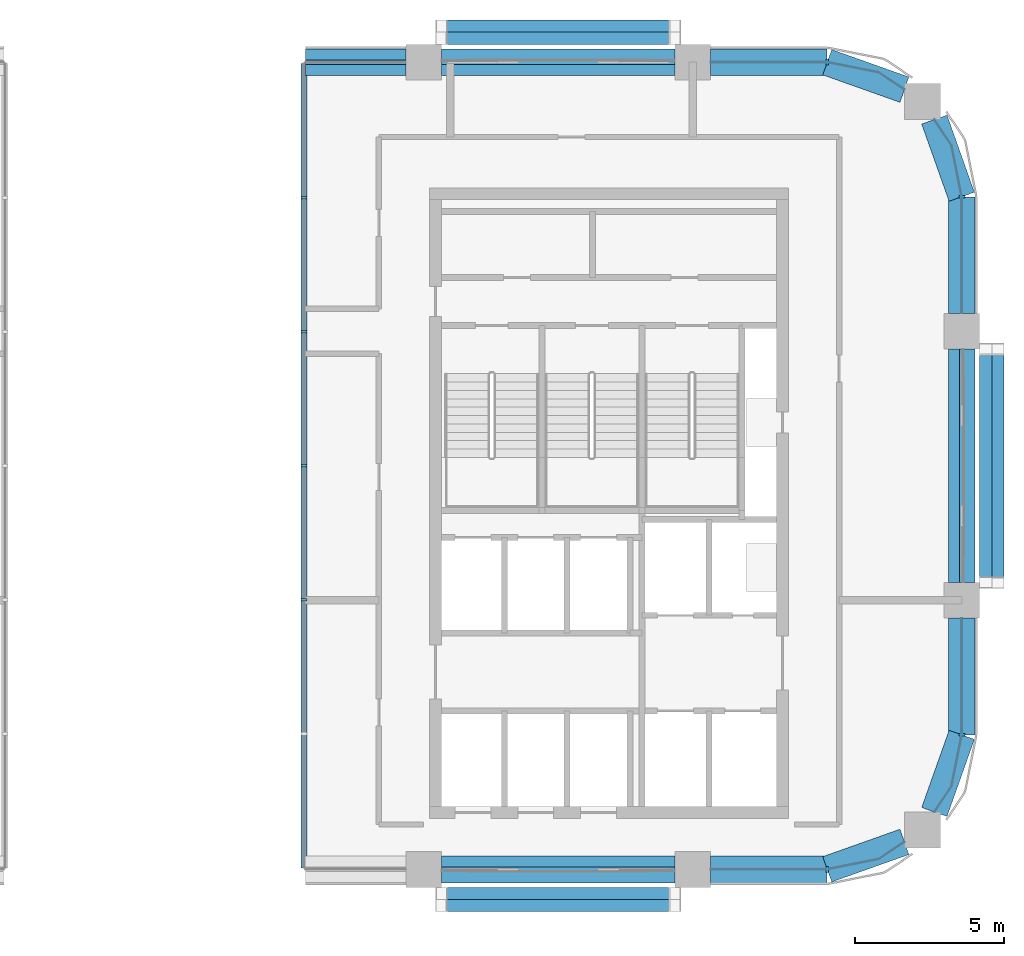
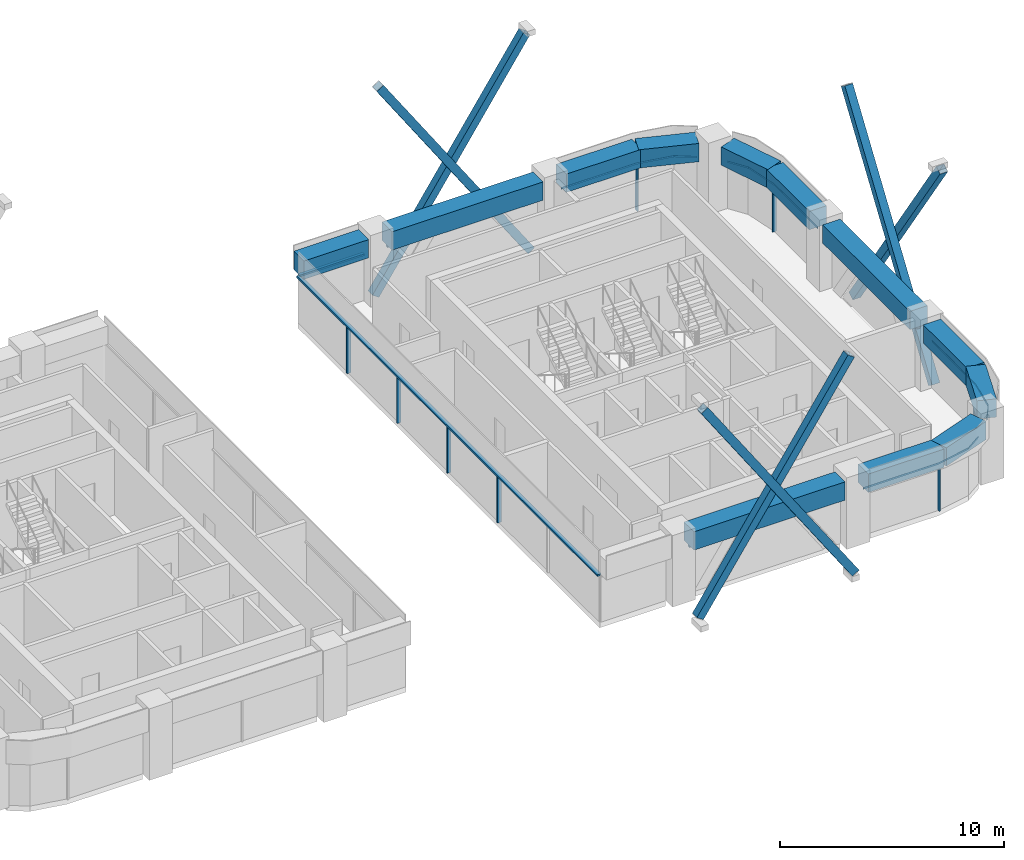
# One storey, part 4 of 14: 23 members, 12 beams, 9 elements without a shape of their own.
"""IFC4 building model written with IfcOpenShell, lengths in metres."""

from ifc_helpers import new_model, si_unit, direction, frame, origin, origin_2d, place, context, subcontext, project, spatial, polyline, rectangle, hollow_rectangle, outline, extrude, material, material_profile, profile_set, type_object, element, aggregate, save


model = new_model("IFC4")

# Units and contexts
model_context = context("Model", 3, precision=1e-05, world=origin(), true_north=direction((0.0, 1.0)))
body_context = subcontext(model_context, "Body", "Model", "MODEL_VIEW")
ifc_project = project(units=[si_unit("LENGTHUNIT", "METRE"), si_unit("AREAUNIT", "SQUARE_METRE"), si_unit("VOLUMEUNIT", "CUBIC_METRE"), si_unit("PLANEANGLEUNIT", "RADIAN"), si_unit("MASSUNIT", "GRAM", prefix="KILO")], contexts=[model_context])

# Site, building, storey
site_placement = place(None, origin())
site = spatial("IfcSite", under=ifc_project, at=site_placement, CompositionType="ELEMENT")
building_placement = place(site_placement, origin())
building = spatial("IfcBuilding", under=site, at=building_placement, Name="Tessera Arch", CompositionType="ELEMENT")
storey_placement = place(building_placement, frame((0.0, 0.0, 215.0)))
storey = spatial("IfcBuildingStorey", under=building, at=storey_placement, Name="L51", CompositionType="ELEMENT", Elevation=215.0)

# Members
ifc_material_1 = material(Name="Steel A500 Gr C", Category="steel")
ifc_material_profile_1 = material_profile(ifc_material_1, hollow_rectangle(XDim=0.406494140625, YDim=0.406494140625, WallThickness=0.0146484375, at=origin_2d()), Name="HSS16x16x5/8")
ifc_profile_set_1 = profile_set([ifc_material_profile_1], Name="Steel A500 Gr C")
member_type_1 = type_object("IfcMemberType", Name="Brace HSS16x16x5/8 Steel A500 Gr C", PredefinedType="BRACE", material=ifc_profile_set_1)
for number, where, z_axis, x_axis, name in (
    (1, (36.60009765625, 26.19677734375, -0.800048828125), (0.557984732827, 0.0, 0.829851214334), (0.0, 1.0, 0.0), "Brace S27.32-1 A L51-L53"),
    (2, (44.39990234375, 25.790283203125, -0.800048828125), (-0.557984732827, 0.0, 0.829851214334), (0.0, -1.0, 0.0), "Brace S27.32-1 B L51-L53"),
    (3, (54.80322265625, 36.60009765625, -0.800048828125), (0.0, 0.557984732827, 0.829851214334), (-1.0, 0.0, 0.0), "Brace E54.27-1 A L51-L53"),
    (4, (55.209716796875, 44.39990234375, -0.800048828125), (0.0, -0.557984732827, 0.829851214334), (1.0, 0.0, 0.0), "Brace E54.27-1 B L51-L53"),
    (5, (44.39990234375, 54.80322265625, -0.800048828125), (-0.557984732827, 0.0, 0.829851214334), (0.0, -1.0, 0.0), "Brace N54.32-1 A L51-L53"),
    (6, (36.60009765625, 55.209716796875, -0.800048828125), (0.557984732827, 0.0, 0.829851214334), (0.0, 1.0, 0.0), "Brace N54.32-1 B L51-L53"),
):
    element("IfcMember", number, at=place(storey_placement, frame(where, z_axis=z_axis, x_axis=x_axis)), inside=storey, type_object=member_type_1, Name=name, PredefinedType="BRACE", context=body_context, shape_type="SweptSolid", body=[
        extrude(hollow_rectangle(XDim=0.406494140625, YDim=0.406494140625, WallThickness=0.0146484375, at=origin_2d()), origin(), (0.0, 0.0, 1.0), 13.978515625),
    ])

# Curtain wall, member
ifc_material_2 = material(Name="CW1 curtain wall")
curtain_wall_type_1 = type_object("IfcCurtainWallType", Name="CW1 curtain wall", PredefinedType="NOTDEFINED", material=ifc_material_2)
curtain_wall_1_placement = place(storey_placement, origin())
curtain_wall_1 = element("IfcCurtainWall", 7, at=curtain_wall_1_placement, inside=storey, type_object=curtain_wall_type_1, Name="CW1 curtain wall N54.32/2 L51", PredefinedType="NOTDEFINED")
ifc_material_3 = material(Name="Anodised aluminium pale metal", Category="aluminium")
ifc_material_profile_2 = material_profile(ifc_material_3, rectangle(XDim=0.159912109375, YDim=0.10009765625, at=origin_2d()), Name="AL 160x100")
ifc_profile_set_2 = profile_set([ifc_material_profile_2], Name="Anodised aluminium pale metal")
member_type_2 = type_object("IfcMemberType", Name="CW1 transom", PredefinedType="USERDEFINED", material=ifc_profile_set_2)
member_1_placement = place(storey_placement, frame((35.39990234375, 54.0, 2.550048828125), z_axis=(-1.0, 0.0, 0.0), x_axis=(0.0, -1.0, 0.0)))
member_1 = element("IfcMember", 8, at=member_1_placement, type_object=member_type_2, Name="CW1 transom N54.32/2 1.1", ObjectType="TRANSOM", PredefinedType="USERDEFINED", context=body_context, shape_type="SweptSolid", body=[
    extrude(rectangle(XDim=0.159912109375, YDim=0.10009765625, at=origin_2d()), origin(), (0.0, 0.0, 1.0), 3.349853515625),
])
aggregate(curtain_wall_1, [member_1])

ifc_material_4 = material(Name="CW2 curtain wall")
curtain_wall_type_2 = type_object("IfcCurtainWallType", Name="CW2 curtain wall", PredefinedType="NOTDEFINED", material=ifc_material_4)
curtain_wall_2_placement = place(storey_placement, origin())
curtain_wall_2 = element("IfcCurtainWall", 9, at=curtain_wall_2_placement, inside=storey, type_object=curtain_wall_type_2, Name="CW2 curtain wall S27.32/2 L51", PredefinedType="NOTDEFINED")
ifc_material_5 = material(Name="Anodised aluminium pale metal", Category="aluminium")
ifc_material_profile_3 = material_profile(ifc_material_5, rectangle(XDim=0.199951171875, YDim=0.080078125, at=origin_2d()), Name="AL 80x200")
ifc_profile_set_3 = profile_set([ifc_material_profile_3], Name="Anodised aluminium pale metal")
member_type_3 = type_object("IfcMemberType", Name="CW2 mullion", PredefinedType="MULLION", material=ifc_profile_set_3)
member_2_placement = place(storey_placement, frame((49.5, 27.0, 0.0), z_axis=(0.0, 0.0, 1.0), x_axis=(0.0, 1.0, 0.0)))
member_2 = element("IfcMember", 10, at=member_2_placement, type_object=member_type_3, Name="CW2 mullion S27.32/2 1", PredefinedType="MULLION", context=body_context, shape_type="SweptSolid", body=[
    extrude(rectangle(XDim=0.199951171875, YDim=0.080078125, at=origin_2d()), origin(), (0.0, 0.0, 1.0), 2.5),
])

curtain_wall_3_placement = place(storey_placement, origin())
curtain_wall_3 = element("IfcCurtainWall", 11, at=curtain_wall_3_placement, inside=storey, type_object=curtain_wall_type_2, Name="CW2 curtain wall E54.27/0 L51", PredefinedType="NOTDEFINED")
member_3_placement = place(storey_placement, frame((54.0, 31.5, 0.0), z_axis=(0.0, 0.0, 1.0), x_axis=(-1.0, 0.0, 0.0)))
member_3 = element("IfcMember", 12, at=member_3_placement, type_object=member_type_3, Name="CW2 mullion E54.27/0 1", PredefinedType="MULLION", context=body_context, shape_type="SweptSolid", body=[
    extrude(rectangle(XDim=0.199951171875, YDim=0.080078125, at=origin_2d()), origin(), (0.0, 0.0, 1.0), 2.5),
])

curtain_wall_4_placement = place(storey_placement, origin())
curtain_wall_4 = element("IfcCurtainWall", 13, at=curtain_wall_4_placement, inside=storey, type_object=curtain_wall_type_2, Name="CW2 curtain wall E54.27/2 L51", PredefinedType="NOTDEFINED")
member_4_placement = place(storey_placement, frame((54.0, 49.5, 0.0), z_axis=(0.0, 0.0, 1.0), x_axis=(-1.0, 0.0, 0.0)))
member_4 = element("IfcMember", 14, at=member_4_placement, type_object=member_type_3, Name="CW2 mullion E54.27/2 1", PredefinedType="MULLION", context=body_context, shape_type="SweptSolid", body=[
    extrude(rectangle(XDim=0.199951171875, YDim=0.080078125, at=origin_2d()), origin(), (0.0, 0.0, 1.0), 2.5),
])

curtain_wall_5_placement = place(storey_placement, origin())
curtain_wall_5 = element("IfcCurtainWall", 15, at=curtain_wall_5_placement, inside=storey, type_object=curtain_wall_type_2, Name="CW2 curtain wall N54.32/0 L51", PredefinedType="NOTDEFINED")
member_5_placement = place(storey_placement, frame((49.5, 54.0, 0.0), z_axis=(0.0, 0.0, 1.0), x_axis=(0.0, -1.0, 0.0)))
member_5 = element("IfcMember", 16, at=member_5_placement, type_object=member_type_3, Name="CW2 mullion N54.32/0 1", PredefinedType="MULLION", context=body_context, shape_type="SweptSolid", body=[
    extrude(rectangle(XDim=0.199951171875, YDim=0.080078125, at=origin_2d()), origin(), (0.0, 0.0, 1.0), 2.5),
])

# Member
ifc_material_6 = material(Name="Anodised aluminium pale metal", Category="aluminium")
ifc_material_profile_4 = material_profile(ifc_material_6, rectangle(XDim=0.199951171875, YDim=0.10009765625, at=origin_2d()), Name="AL 200x100")
ifc_profile_set_4 = profile_set([ifc_material_profile_4], Name="Anodised aluminium pale metal")
member_type_4 = type_object("IfcMemberType", Name="CW2 transom", PredefinedType="USERDEFINED", material=ifc_profile_set_4)
member_6_placement = place(storey_placement, frame((0.0, 0.0, 2.5)))
member_6 = element("IfcMember", 17, at=member_6_placement, type_object=member_type_4, Name="CW2 transom S27.32/2 1", ObjectType="TRANSOM", PredefinedType="USERDEFINED", context=body_context, shape_type="SweptSolid", body=[
    extrude(outline(polyline([(49.4990234375, 27.010009765625), (45.60009765625, 27.010009765625), (45.60009765625, 26.989990234375), (49.5009765625, 26.989990234375), (51.22607421875, 27.3330078125), (52.087646484375, 27.90869140625), (52.076416015625, 27.92529296875), (51.21826171875, 27.351806640625), (49.4990234375, 27.010009765625)])), origin(), (0.0, 0.0, 1.0), 0.10009765625),
])

aggregate(curtain_wall_2, [member_2, member_6])

member_7_placement = place(storey_placement, frame((0.0, 0.0, 2.5)))
member_7 = element("IfcMember", 18, at=member_7_placement, type_object=member_type_4, Name="CW2 transom E54.27/0 1", ObjectType="TRANSOM", PredefinedType="USERDEFINED", context=body_context, shape_type="SweptSolid", body=[
    extrude(outline(polyline([(53.648193359375, 29.78173828125), (53.07470703125, 28.923583984375), (53.09130859375, 28.912353515625), (53.6669921875, 29.77392578125), (54.010009765625, 31.4990234375), (54.010009765625, 35.39990234375), (53.989990234375, 35.39990234375), (53.989990234375, 31.5009765625), (53.648193359375, 29.78173828125)])), origin(), (0.0, 0.0, 1.0), 0.10009765625),
])

aggregate(curtain_wall_3, [member_3, member_7])

member_8_placement = place(storey_placement, frame((0.0, 0.0, 2.5)))
member_8 = element("IfcMember", 19, at=member_8_placement, type_object=member_type_4, Name="CW2 transom E54.27/2 1", ObjectType="TRANSOM", PredefinedType="USERDEFINED", context=body_context, shape_type="SweptSolid", body=[
    extrude(outline(polyline([(53.989990234375, 49.4990234375), (53.989990234375, 45.60009765625), (54.010009765625, 45.60009765625), (54.010009765625, 49.5009765625), (53.6669921875, 51.22607421875), (53.09130859375, 52.087646484375), (53.07470703125, 52.076416015625), (53.648193359375, 51.21826171875), (53.989990234375, 49.4990234375)])), origin(), (0.0, 0.0, 1.0), 0.10009765625),
])

aggregate(curtain_wall_4, [member_4, member_8])

member_9_placement = place(storey_placement, frame((0.0, 0.0, 2.5)))
member_9 = element("IfcMember", 20, at=member_9_placement, type_object=member_type_4, Name="CW2 transom N54.32/0 1", ObjectType="TRANSOM", PredefinedType="USERDEFINED", context=body_context, shape_type="SweptSolid", body=[
    extrude(outline(polyline([(51.21826171875, 53.648193359375), (52.076416015625, 53.07470703125), (52.087646484375, 53.09130859375), (51.22607421875, 53.6669921875), (49.5009765625, 54.010009765625), (45.60009765625, 54.010009765625), (45.60009765625, 53.989990234375), (49.4990234375, 53.989990234375), (51.21826171875, 53.648193359375)])), origin(), (0.0, 0.0, 1.0), 0.10009765625),
])

aggregate(curtain_wall_5, [member_5, member_9])

# Curtain wall, member
ifc_material_7 = material(Name="CW3 curtain wall")
curtain_wall_type_3 = type_object("IfcCurtainWallType", Name="CW3 curtain wall", PredefinedType="NOTDEFINED", material=ifc_material_7)
curtain_wall_6_placement = place(storey_placement, origin())
curtain_wall_6 = element("IfcCurtainWall", 21, at=curtain_wall_6_placement, inside=storey, type_object=curtain_wall_type_3, Name="CW3 curtain wall S27.32/1 L51", PredefinedType="NOTDEFINED")
ifc_material_8 = material(Name="Anodised aluminium pale metal", Category="aluminium")
ifc_material_profile_5 = material_profile(ifc_material_8, rectangle(XDim=0.139892578125, YDim=0.10009765625, at=origin_2d()), Name="AL 140x100")
ifc_profile_set_5 = profile_set([ifc_material_profile_5], Name="Anodised aluminium pale metal")
member_type_5 = type_object("IfcMemberType", Name="CW3 transom", PredefinedType="USERDEFINED", material=ifc_profile_set_5)
member_10_placement = place(storey_placement, frame((36.60009765625, 27.0, 2.550048828125), z_axis=(1.0, 0.0, 0.0), x_axis=(0.0, 1.0, 0.0)))
member_10 = element("IfcMember", 22, at=member_10_placement, type_object=member_type_5, Name="CW3 transom S27.32/1 1.1", ObjectType="TRANSOM", PredefinedType="USERDEFINED", context=body_context, shape_type="SweptSolid", body=[
    extrude(rectangle(XDim=0.139892578125, YDim=0.10009765625, at=origin_2d()), origin(), (0.0, 0.0, 1.0), 7.7998046875),
])
aggregate(curtain_wall_6, [member_10])

curtain_wall_7_placement = place(storey_placement, origin())
curtain_wall_7 = element("IfcCurtainWall", 23, at=curtain_wall_7_placement, inside=storey, type_object=curtain_wall_type_3, Name="CW3 curtain wall E54.27/1 L51", PredefinedType="NOTDEFINED")
member_11_placement = place(storey_placement, frame((54.0, 36.60009765625, 2.550048828125), z_axis=(0.0, 1.0, 0.0), x_axis=(-1.0, 0.0, 0.0)))
member_11 = element("IfcMember", 24, at=member_11_placement, type_object=member_type_5, Name="CW3 transom E54.27/1 1.1", ObjectType="TRANSOM", PredefinedType="USERDEFINED", context=body_context, shape_type="SweptSolid", body=[
    extrude(rectangle(XDim=0.139892578125, YDim=0.10009765625, at=origin_2d()), origin(), (0.0, 0.0, 1.0), 7.7998046875),
])
aggregate(curtain_wall_7, [member_11])

curtain_wall_8_placement = place(storey_placement, origin())
curtain_wall_8 = element("IfcCurtainWall", 25, at=curtain_wall_8_placement, inside=storey, type_object=curtain_wall_type_3, Name="CW3 curtain wall N54.32/1 L51", PredefinedType="NOTDEFINED")
member_12_placement = place(storey_placement, frame((44.39990234375, 54.0, 2.550048828125), z_axis=(-1.0, 0.0, 0.0), x_axis=(0.0, -1.0, 0.0)))
member_12 = element("IfcMember", 26, at=member_12_placement, type_object=member_type_5, Name="CW3 transom N54.32/1 1.1", ObjectType="TRANSOM", PredefinedType="USERDEFINED", context=body_context, shape_type="SweptSolid", body=[
    extrude(rectangle(XDim=0.139892578125, YDim=0.10009765625, at=origin_2d()), origin(), (0.0, 0.0, 1.0), 7.7998046875),
])
aggregate(curtain_wall_8, [member_12])

# Curtain wall, members
ifc_material_9 = material(Name="CW5 curtain wall")
curtain_wall_type_4 = type_object("IfcCurtainWallType", Name="CW5 curtain wall", PredefinedType="NOTDEFINED", material=ifc_material_9)
curtain_wall_9_placement = place(storey_placement, origin())
curtain_wall_9 = element("IfcCurtainWall", 27, at=curtain_wall_9_placement, inside=storey, type_object=curtain_wall_type_4, Name="CW5 curtain wall W32.27/0 L51", PredefinedType="NOTDEFINED")
ifc_material_10 = material(Name="Anodised aluminium pale metal", Category="aluminium")
ifc_material_profile_6 = material_profile(ifc_material_10, rectangle(XDim=0.199951171875, YDim=0.080078125, at=origin_2d()), Name="AL 80x200")
ifc_profile_set_6 = profile_set([ifc_material_profile_6], Name="Anodised aluminium pale metal")
member_type_6 = type_object("IfcMemberType", Name="CW5 mullion", PredefinedType="MULLION", material=ifc_profile_set_6)
member_13_placement = place(storey_placement, frame((32.0, 49.466552734375, 0.0), z_axis=(0.0, 0.0, 1.0), x_axis=(1.0, 0.0, 0.0)))
member_13 = element("IfcMember", 28, at=member_13_placement, type_object=member_type_6, Name="CW5 mullion W32.27/0 1", PredefinedType="MULLION", context=body_context, shape_type="SweptSolid", body=[
    extrude(rectangle(XDim=0.199951171875, YDim=0.080078125, at=origin_2d()), origin(), (0.0, 0.0, 1.0), 2.5),
])
member_14_placement = place(storey_placement, frame((32.0, 44.9833984375, 0.0), z_axis=(0.0, 0.0, 1.0), x_axis=(1.0, 0.0, 0.0)))
member_14 = element("IfcMember", 29, at=member_14_placement, type_object=member_type_6, Name="CW5 mullion W32.27/0 2", PredefinedType="MULLION", context=body_context, shape_type="SweptSolid", body=[
    extrude(rectangle(XDim=0.199951171875, YDim=0.080078125, at=origin_2d()), origin(), (0.0, 0.0, 1.0), 2.5),
])
member_15_placement = place(storey_placement, frame((32.0, 40.5, 0.0), z_axis=(0.0, 0.0, 1.0), x_axis=(1.0, 0.0, 0.0)))
member_15 = element("IfcMember", 30, at=member_15_placement, type_object=member_type_6, Name="CW5 mullion W32.27/0 3", PredefinedType="MULLION", context=body_context, shape_type="SweptSolid", body=[
    extrude(rectangle(XDim=0.199951171875, YDim=0.080078125, at=origin_2d()), origin(), (0.0, 0.0, 1.0), 2.5),
])
member_16_placement = place(storey_placement, frame((32.0, 36.0166015625, 0.0), z_axis=(0.0, 0.0, 1.0), x_axis=(1.0, 0.0, 0.0)))
member_16 = element("IfcMember", 31, at=member_16_placement, type_object=member_type_6, Name="CW5 mullion W32.27/0 4", PredefinedType="MULLION", context=body_context, shape_type="SweptSolid", body=[
    extrude(rectangle(XDim=0.199951171875, YDim=0.080078125, at=origin_2d()), origin(), (0.0, 0.0, 1.0), 2.5),
])
ifc_material_11 = material(Name="Anodised aluminium pale metal", Category="aluminium")
ifc_material_profile_7 = material_profile(ifc_material_11, rectangle(XDim=0.199951171875, YDim=0.10009765625, at=origin_2d()), Name="AL 200x100")
ifc_profile_set_7 = profile_set([ifc_material_profile_7], Name="Anodised aluminium pale metal")
member_type_7 = type_object("IfcMemberType", Name="CW5 transom", PredefinedType="USERDEFINED", material=ifc_profile_set_7)
member_17_placement = place(storey_placement, frame((32.0, 53.949951171875, 2.550048828125), z_axis=(0.0, -1.0, 0.0), x_axis=(1.0, 0.0, 0.0)))
member_17 = element("IfcMember", 32, at=member_17_placement, type_object=member_type_7, Name="CW5 transom W32.27/0 1.1", ObjectType="TRANSOM", PredefinedType="USERDEFINED", context=body_context, shape_type="SweptSolid", body=[
    extrude(rectangle(XDim=0.199951171875, YDim=0.10009765625, at=origin_2d()), origin(), (0.0, 0.0, 1.0), 26.89990234375),
])
aggregate(curtain_wall_9, [member_13, member_14, member_15, member_16, member_17])

# Beams
ifc_material_12 = material(Name="Concrete C60/75", Category="concrete")
ifc_material_profile_8 = material_profile(ifc_material_12, rectangle(XDim=0.89990234375, YDim=1.0, at=origin_2d()), Name="RC spandrel beam 900 x 1000 Concrete C60/75")
ifc_profile_set_8 = profile_set([ifc_material_profile_8], Name="Concrete C60/75")
beam_type = type_object("IfcBeamType", Name="RC spandrel beam 900 x 1000 Concrete C60/75", PredefinedType="BEAM", material=ifc_profile_set_8)
beam_1_placement = place(storey_placement, frame((36.60009765625, 27.0, 3.10009765625), z_axis=(1.0, 0.0, 0.0), x_axis=(0.0, 1.0, 0.0)))
element("IfcBeam", 33, at=beam_1_placement, inside=storey, type_object=beam_type, Name="Spandrel beam L51 S27.32/1", PredefinedType="BEAM", context=body_context, shape_type="SweptSolid", body=[
    extrude(rectangle(XDim=0.89990234375, YDim=1.0, at=origin_2d()), origin(), (0.0, 0.0, 1.0), 7.7998046875),
])
beam_2_placement = place(storey_placement, frame((45.60009765625, 27.0, 3.10009765625), z_axis=(1.0, 0.0, 0.0), x_axis=(0.0, 1.0, 0.0)))
element("IfcBeam", 34, at=beam_2_placement, inside=storey, type_object=beam_type, Name="Spandrel beam L51 S27.32/2.1", PredefinedType="BEAM", context=body_context, shape_type="SweptSolid", body=[
    extrude(rectangle(XDim=0.89990234375, YDim=1.0, at=origin_2d()), origin(), (0.0, 0.0, 1.0), 3.89990234375),
])
for number, where, z_axis, x_axis, name in (
    (35, (49.5, 27.0, 3.10009765625), (0.942337127159, 0.334665114373, 0.0), (-0.334665114373, 0.942337127159, 0.0), "Spandrel beam L51 S27.32/2.2"),
    (36, (53.0830078125, 28.91796875, 3.10009765625), (0.334665114373, 0.942337127159, 0.0), (-0.942337127159, 0.334665114373, 0.0), "Spandrel beam L51 E54.27/0.1"),
):
    element("IfcBeam", number, at=place(storey_placement, frame(where, z_axis=z_axis, x_axis=x_axis)), inside=storey, type_object=beam_type, Name=name, PredefinedType="BEAM", context=body_context, shape_type="SweptSolid", body=[
        extrude(rectangle(XDim=0.89990234375, YDim=1.0, at=origin_2d()), origin(), (0.0, 0.0, 1.0), 2.739990234375),
    ])
beam_3_placement = place(storey_placement, frame((54.0, 31.5, 3.10009765625), z_axis=(0.0, 1.0, 0.0), x_axis=(-1.0, 0.0, 0.0)))
element("IfcBeam", 37, at=beam_3_placement, inside=storey, type_object=beam_type, Name="Spandrel beam L51 E54.27/0.2", PredefinedType="BEAM", context=body_context, shape_type="SweptSolid", body=[
    extrude(rectangle(XDim=0.89990234375, YDim=1.0, at=origin_2d()), origin(), (0.0, 0.0, 1.0), 3.89990234375),
])
beam_4_placement = place(storey_placement, frame((54.0, 36.60009765625, 3.10009765625), z_axis=(0.0, 1.0, 0.0), x_axis=(-1.0, 0.0, 0.0)))
element("IfcBeam", 38, at=beam_4_placement, inside=storey, type_object=beam_type, Name="Spandrel beam L51 E54.27/1", PredefinedType="BEAM", context=body_context, shape_type="SweptSolid", body=[
    extrude(rectangle(XDim=0.89990234375, YDim=1.0, at=origin_2d()), origin(), (0.0, 0.0, 1.0), 7.7998046875),
])
beam_5_placement = place(storey_placement, frame((54.0, 45.60009765625, 3.10009765625), z_axis=(0.0, 1.0, 0.0), x_axis=(-1.0, 0.0, 0.0)))
element("IfcBeam", 39, at=beam_5_placement, inside=storey, type_object=beam_type, Name="Spandrel beam L51 E54.27/2.1", PredefinedType="BEAM", context=body_context, shape_type="SweptSolid", body=[
    extrude(rectangle(XDim=0.89990234375, YDim=1.0, at=origin_2d()), origin(), (0.0, 0.0, 1.0), 3.89990234375),
])
for number, where, z_axis, x_axis, name in (
    (40, (54.0, 49.5, 3.10009765625), (-0.334665114373, 0.942337127159, 0.0), (-0.942337127159, -0.334665114373, 0.0), "Spandrel beam L51 E54.27/2.2"),
    (41, (52.08203125, 53.0830078125, 3.10009765625), (-0.942337127159, 0.334665114373, 0.0), (-0.334665114373, -0.942337127159, 0.0), "Spandrel beam L51 N54.32/0.1"),
):
    element("IfcBeam", number, at=place(storey_placement, frame(where, z_axis=z_axis, x_axis=x_axis)), inside=storey, type_object=beam_type, Name=name, PredefinedType="BEAM", context=body_context, shape_type="SweptSolid", body=[
        extrude(rectangle(XDim=0.89990234375, YDim=1.0, at=origin_2d()), origin(), (0.0, 0.0, 1.0), 2.739990234375),
    ])
beam_6_placement = place(storey_placement, frame((49.5, 54.0, 3.10009765625), z_axis=(-1.0, 0.0, 0.0), x_axis=(0.0, -1.0, 0.0)))
element("IfcBeam", 42, at=beam_6_placement, inside=storey, type_object=beam_type, Name="Spandrel beam L51 N54.32/0.2", PredefinedType="BEAM", context=body_context, shape_type="SweptSolid", body=[
    extrude(rectangle(XDim=0.89990234375, YDim=1.0, at=origin_2d()), origin(), (0.0, 0.0, 1.0), 3.89990234375),
])
beam_7_placement = place(storey_placement, frame((44.39990234375, 54.0, 3.10009765625), z_axis=(-1.0, 0.0, 0.0), x_axis=(0.0, -1.0, 0.0)))
element("IfcBeam", 43, at=beam_7_placement, inside=storey, type_object=beam_type, Name="Spandrel beam L51 N54.32/1", PredefinedType="BEAM", context=body_context, shape_type="SweptSolid", body=[
    extrude(rectangle(XDim=0.89990234375, YDim=1.0, at=origin_2d()), origin(), (0.0, 0.0, 1.0), 7.7998046875),
])
beam_8_placement = place(storey_placement, frame((35.39990234375, 54.0, 3.10009765625), z_axis=(-1.0, 0.0, 0.0), x_axis=(0.0, -1.0, 0.0)))
element("IfcBeam", 44, at=beam_8_placement, inside=storey, type_object=beam_type, Name="Spandrel beam L51 N54.32/2", PredefinedType="BEAM", context=body_context, shape_type="SweptSolid", body=[
    extrude(rectangle(XDim=0.89990234375, YDim=1.0, at=origin_2d()), origin(), (0.0, 0.0, 1.0), 3.349853515625),
])

save(model, "model.ifc")
